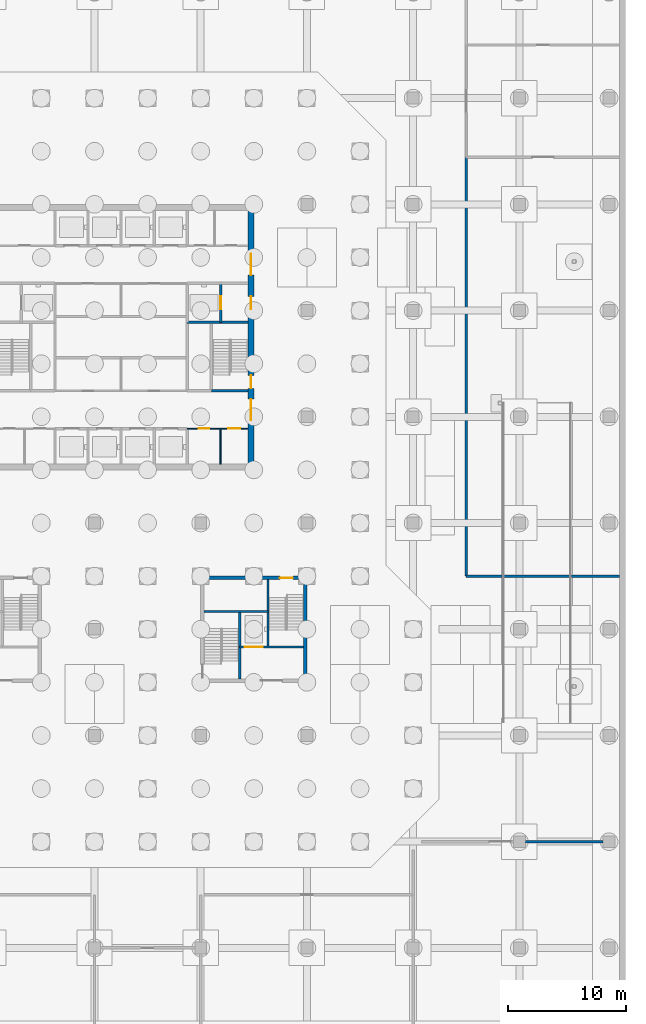
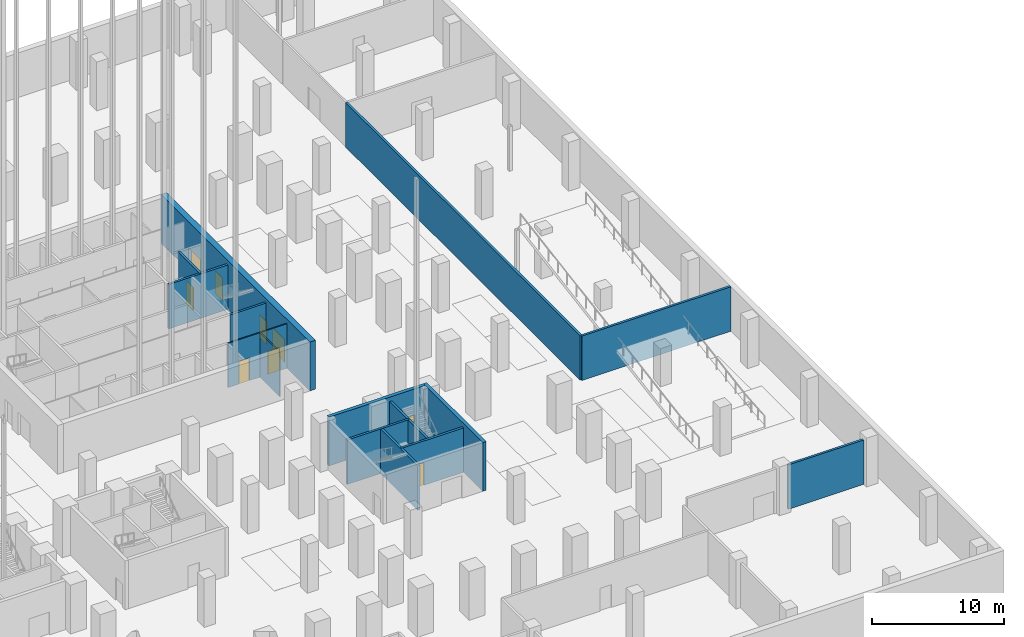
# One storey, part 16 of 37: 15 walls, 9 doors, 9 openings.
"""IFC4 building model written with IfcOpenShell, lengths in metres."""

from ifc_helpers import new_model, si_unit, direction, frame, frame_2d, origin, place, context, subcontext, project, spatial, rectangle, extrude, material, layer, layer_set, type_object, element, fill, save


model = new_model("IFC4")

# Units and contexts
model_context = context("Model", 3, precision=1e-05, world=origin(), true_north=direction((0.0, 1.0)))
body_context = subcontext(model_context, "Body", "Model", "MODEL_VIEW")
ifc_project = project(units=[si_unit("LENGTHUNIT", "METRE"), si_unit("AREAUNIT", "SQUARE_METRE"), si_unit("VOLUMEUNIT", "CUBIC_METRE"), si_unit("PLANEANGLEUNIT", "RADIAN"), si_unit("MASSUNIT", "GRAM", prefix="KILO")], contexts=[model_context])

# Site, building, storey
site_placement = place(None, origin())
site = spatial("IfcSite", under=ifc_project, at=site_placement, CompositionType="ELEMENT")
building_placement = place(site_placement, origin())
building = spatial("IfcBuilding", under=site, at=building_placement, Name="Quoin Convention Tower", CompositionType="ELEMENT")
storey_placement = place(building_placement, frame((0.0, 0.0, -9.0)))
storey = spatial("IfcBuildingStorey", under=building, at=storey_placement, Name="B2", CompositionType="ELEMENT", Elevation=-9.0)

# Walls
ifc_material_1 = material(Name="Plasterboard")
ifc_layer_1 = layer(ifc_material_1, 0.012451171875, Name="Finish")
ifc_material_2 = material(Name="Steel stud framing", Category="steel")
ifc_layer_2 = layer(ifc_material_2, 0.175048828125, Name="Structure")
ifc_layer_3 = layer(ifc_material_1, 0.012451171875, Name="Finish")
ifc_layer_set_1 = layer_set([ifc_layer_1, ifc_layer_2, ifc_layer_3], Name="Steel stud framing")
wall_type_1 = type_object("IfcWallType", Name="Block wall 200", PredefinedType="PARTITIONING", material=ifc_layer_set_1)
wall_1_placement = place(storey_placement, frame((85.5, 40.5, 0.0), z_axis=(0.0, 0.0, 1.0), x_axis=(1.0, 0.0, 0.0)))
element("IfcWall", 1, at=wall_1_placement, inside=storey, type_object=wall_type_1, Name="pw-B2-023", PredefinedType="PARTITIONING", context=body_context, shape_type="SweptSolid", body=[
    extrude(rectangle(XDim=13.0, YDim=0.199951171875, at=frame_2d((6.5, 0.0))), origin(), (0.0, 0.0, 1.0), 4.10009765625),
])
wall_2_placement = place(storey_placement, frame((85.5, 40.5, 0.0), z_axis=(0.0, 0.0, 1.0), x_axis=(0.0, 1.0, 0.0)))
element("IfcWall", 2, at=wall_2_placement, inside=storey, type_object=wall_type_1, Name="pw-B2-024", PredefinedType="PARTITIONING", context=body_context, shape_type="SweptSolid", body=[
    extrude(rectangle(XDim=35.5, YDim=0.199951171875, at=frame_2d((17.75, 0.0))), origin(), (0.0, 0.0, 1.0), 4.10009765625),
])

# Wall, openings, doors
ifc_layer_4 = layer(ifc_material_1, 0.012451171875, Name="Finish")
ifc_layer_5 = layer(ifc_material_2, 0.074951171875, Name="Structure")
ifc_layer_6 = layer(ifc_material_1, 0.012451171875, Name="Finish")
ifc_layer_set_2 = layer_set([ifc_layer_4, ifc_layer_5, ifc_layer_6], Name="Steel stud framing")
wall_type_2 = type_object("IfcWallType", Name="Core partition wall", PredefinedType="PARTITIONING", material=ifc_layer_set_2)
wall_3_placement = place(storey_placement, frame((61.85009765625, 53.0, 0.0), z_axis=(0.0, 0.0, 1.0), x_axis=(1.0, 0.0, 0.0)))
wall_3 = element("IfcWall", 3, at=wall_3_placement, inside=storey, type_object=wall_type_2, Name="cr-C1-B2-h3500_16850", PredefinedType="PARTITIONING", context=body_context, shape_type="SweptSolid", body=[
    extrude(rectangle(XDim=5.14990234375, YDim=0.10009765625, at=frame_2d((2.574951171875, 0.0))), origin(), (0.0, 0.0, 1.0), 4.10009765625),
])
opening_1_placement = place(wall_3_placement, frame((3.4912109375, 0.0, 0.0)))
opening_1 = element("IfcOpeningElement", 4, at=opening_1_placement, cuts=wall_3, Name="Opening DCV0-30", PredefinedType="OPENING", context=body_context, shape_type="SweptSolid", body=[
    extrude(rectangle(XDim=1.0, YDim=2.10009765625, at=frame_2d((0.5, 1.050048828125))), frame((0.0, 0.06005859375, 0.0), z_axis=(0.0, -1.0, 0.0), x_axis=(1.0, 0.0, 0.0)), (0.0, 0.0, 1.0), 0.1201171875),
])
opening_2_placement = place(wall_3_placement, frame((0.96630859375, 0.0, 0.0)))
opening_2 = element("IfcOpeningElement", 5, at=opening_2_placement, cuts=wall_3, Name="Opening DCV0-27", PredefinedType="OPENING", context=body_context, shape_type="SweptSolid", body=[
    extrude(rectangle(XDim=0.89990234375, YDim=2.10009765625, at=frame_2d((0.449951171875, 1.050048828125))), frame((0.0, 0.06005859375, 0.0), z_axis=(0.0, -1.0, 0.0), x_axis=(1.0, 0.0, 0.0)), (0.0, 0.0, 1.0), 0.1201171875),
])
ifc_material_3 = material(Name="Steel door leaf", Category="steel")
door_type_1 = type_object("IfcDoorType", Name="Core room door 1000 x 2100", OperationType="SINGLE_SWING_LEFT", PredefinedType="DOOR", material=ifc_material_3)
door_1_placement = place(opening_1_placement, frame((1.0, 0.0, 0.0), z_axis=(0.0, 0.0, 1.0), x_axis=(-1.0, 0.0, 0.0)))
door_1 = element("IfcDoor", 6, at=door_1_placement, inside=storey, type_object=door_type_1, Name="cd-C1-B2-CSE0-lobA-CDB210", OperationType="SINGLE_SWING_LEFT", OverallHeight=2.10009765625, OverallWidth=1.0, PredefinedType="DOOR", context=body_context, shape_type="SweptSolid", body=[
    extrude(rectangle(XDim=1.0, YDim=2.10009765625, at=frame_2d((0.5, 1.050048828125))), frame((0.0, 0.02490234375, 0.0), z_axis=(0.0, -1.0, 0.0), x_axis=(1.0, 0.0, 0.0)), (0.0, 0.0, 1.0), 0.050048828125),
])
fill(opening_1, door_1)
door_type_2 = type_object("IfcDoorType", Name="Core room door 900 x 2100", OperationType="SINGLE_SWING_LEFT", PredefinedType="DOOR", material=ifc_material_3)
door_2_placement = place(opening_2_placement, frame((0.89990234375, 0.0, 0.0), z_axis=(0.0, 0.0, 1.0), x_axis=(-1.0, 0.0, 0.0)))
door_2 = element("IfcDoor", 7, at=door_2_placement, inside=storey, type_object=door_type_2, Name="cd-C1-B2-CSE1-lobA-CDB211", OperationType="SINGLE_SWING_RIGHT", OverallHeight=2.10009765625, OverallWidth=0.89990234375, PredefinedType="DOOR", context=body_context, shape_type="SweptSolid", body=[
    extrude(rectangle(XDim=0.89990234375, YDim=2.10009765625, at=frame_2d((0.449951171875, 1.050048828125))), frame((0.0, 0.02490234375, 0.0), z_axis=(0.0, -1.0, 0.0), x_axis=(1.0, 0.0, 0.0)), (0.0, 0.0, 1.0), 0.050048828125),
])
fill(opening_2, door_2)

# Walls
wall_4_placement = place(storey_placement, frame((64.6826171875, 50.0, 0.0), z_axis=(0.0, 0.0, 1.0), x_axis=(0.0, 1.0, 0.0)))
element("IfcWall", 8, at=wall_4_placement, inside=storey, type_object=wall_type_2, Name="cr-C1-B2-v19682_500", PredefinedType="PARTITIONING", context=body_context, shape_type="SweptSolid", body=[
    extrude(rectangle(XDim=3.0, YDim=0.10009765625, at=frame_2d((1.5, 0.0))), origin(), (0.0, 0.0, 1.0), 4.10009765625),
])
ifc_material_4 = material(Name="Concrete C50", Category="concrete")
ifc_layer_7 = layer(ifc_material_4, 0.199951171875)
ifc_layer_set_3 = layer_set([ifc_layer_7], Name="Concrete C50")
wall_type_3 = type_object("IfcWallType", Name="Core shaft wall", PredefinedType="SOLIDWALL", material=ifc_layer_set_3)
wall_5_placement = place(storey_placement, frame((63.89990234375, 56.199951171875, 0.0), z_axis=(0.0, 0.0, 1.0), x_axis=(1.0, 0.0, 0.0)))
element("IfcWall", 9, at=wall_5_placement, inside=storey, type_object=wall_type_3, Name="cr-C1-B2-h6700_18900", PredefinedType="SOLIDWALL", context=body_context, shape_type="SweptSolid", body=[
    extrude(rectangle(XDim=3.10009765625, YDim=0.199951171875, at=frame_2d((1.550048828125, 0.0))), origin(), (0.0, 0.0, 1.0), 4.10009765625),
])
wall_6_placement = place(storey_placement, frame((61.85009765625, 62.0, 0.0), z_axis=(0.0, 0.0, 1.0), x_axis=(1.0, 0.0, 0.0)))
element("IfcWall", 10, at=wall_6_placement, inside=storey, type_object=wall_type_3, Name="cr-C1-B2-h12500_16850", PredefinedType="SOLIDWALL", context=body_context, shape_type="SweptSolid", body=[
    extrude(rectangle(XDim=5.14990234375, YDim=0.199951171875, at=frame_2d((2.574951171875, 0.0))), origin(), (0.0, 0.0, 1.0), 4.10009765625),
])

# Wall, opening, door
wall_7_placement = place(storey_placement, frame((64.699951171875, 62.0, 0.0), z_axis=(0.0, 0.0, 1.0), x_axis=(0.0, 1.0, 0.0)))
wall_7 = element("IfcWall", 11, at=wall_7_placement, inside=storey, type_object=wall_type_3, Name="cr-C1-B2-v19700_12500", PredefinedType="SOLIDWALL", context=body_context, shape_type="SweptSolid", body=[
    extrude(rectangle(XDim=3.300048828125, YDim=0.199951171875, at=frame_2d((1.64990234375, 0.0))), origin(), (0.0, 0.0, 1.0), 4.10009765625),
])
opening_3_placement = place(wall_7_placement, frame((1.10009765625, 0.0, 0.0)))
opening_3 = element("IfcOpeningElement", 12, at=opening_3_placement, cuts=wall_7, Name="Opening LDFL2", PredefinedType="OPENING", context=body_context, shape_type="SweptSolid", body=[
    extrude(rectangle(XDim=1.10009765625, YDim=2.10009765625, at=frame_2d((0.550048828125, 1.050048828125))), frame((0.0, 0.10986328125, 0.0), z_axis=(0.0, -1.0, 0.0), x_axis=(1.0, 0.0, 0.0)), (0.0, 0.0, 1.0), 0.219970703125),
])
door_type_3 = type_object("IfcDoorType", Name="Lift landing door 1100 x 2100", OperationType="DOUBLE_DOOR_SLIDING", PredefinedType="DOOR", material=ifc_material_3)
door_3_placement = place(opening_3_placement, origin())
door_3 = element("IfcDoor", 13, at=door_3_placement, inside=storey, type_object=door_type_3, Name="cd-C1-B2-FLE-FFE-LDFL2", OperationType="DOUBLE_DOOR_SLIDING", OverallHeight=2.10009765625, OverallWidth=1.10009765625, PredefinedType="DOOR", context=body_context, shape_type="SweptSolid", body=[
    extrude(rectangle(XDim=1.10009765625, YDim=2.10009765625, at=frame_2d((0.550048828125, 1.050048828125))), frame((0.0, 0.02490234375, 0.0), z_axis=(0.0, -1.0, 0.0), x_axis=(1.0, 0.0, 0.0)), (0.0, 0.0, 1.0), 0.050048828125),
])
fill(opening_3, door_3)

wall_8_placement = place(storey_placement, frame((66.300048828125, 34.5, 0.0), z_axis=(0.0, 0.0, 1.0), x_axis=(1.0, 0.0, 0.0)))
wall_8 = element("IfcWall", 14, at=wall_8_placement, inside=storey, type_object=wall_type_3, Name="cr-P5-B2-h3000_3300", PredefinedType="SOLIDWALL", context=body_context, shape_type="SweptSolid", body=[
    extrude(rectangle(XDim=5.39990234375, YDim=0.199951171875, at=frame_2d((2.699951171875, 0.0))), origin(), (0.0, 0.0, 1.0), 4.10009765625),
])
opening_4_placement = place(wall_8_placement, frame((0.449951171875, 0.0, 0.0)))
opening_4 = element("IfcOpeningElement", 15, at=opening_4_placement, cuts=wall_8, Name="Opening LDGL2", PredefinedType="OPENING", context=body_context, shape_type="SweptSolid", body=[
    extrude(rectangle(XDim=1.5, YDim=2.10009765625, at=frame_2d((0.75, 1.050048828125))), frame((0.0, 0.10986328125, 0.0), z_axis=(0.0, -1.0, 0.0), x_axis=(1.0, 0.0, 0.0)), (0.0, 0.0, 1.0), 0.219970703125),
])
door_type_4 = type_object("IfcDoorType", Name="Lift landing door 1500 x 2100", OperationType="DOUBLE_DOOR_SLIDING", PredefinedType="DOOR", material=ifc_material_3)
door_4_placement = place(opening_4_placement, origin())
door_4 = element("IfcDoor", 16, at=door_4_placement, inside=storey, type_object=door_type_4, Name="cd-P5-B2-CEN-R2-LDGL2", OperationType="DOUBLE_DOOR_SLIDING", OverallHeight=2.10009765625, OverallWidth=1.5, PredefinedType="DOOR", context=body_context, shape_type="SweptSolid", body=[
    extrude(rectangle(XDim=1.5, YDim=2.10009765625, at=frame_2d((0.75, 1.050048828125))), frame((0.0, 0.02490234375, 0.0), z_axis=(0.0, -1.0, 0.0), x_axis=(1.0, 0.0, 0.0)), (0.0, 0.0, 1.0), 0.050048828125),
])
fill(opening_4, door_4)

# Walls
wall_9_placement = place(storey_placement, frame((63.300048828125, 37.5, 0.0), z_axis=(0.0, 0.0, 1.0), x_axis=(1.0, 0.0, 0.0)))
element("IfcWall", 17, at=wall_9_placement, inside=storey, type_object=wall_type_3, Name="cr-P5-B2-h6000_300", PredefinedType="SOLIDWALL", context=body_context, shape_type="SweptSolid", body=[
    extrude(rectangle(XDim=5.39990234375, YDim=0.199951171875, at=frame_2d((2.699951171875, 0.0))), origin(), (0.0, 0.0, 1.0), 4.10009765625),
])
for number, where, z_axis, x_axis, name in (
    (18, (66.300048828125, 31.800048828125, 0.0), (0.0, 0.0, 1.0), (0.0, 1.0, 0.0), "cr-P5-B2-v3300_300"),
    (19, (68.699951171875, 34.5, 0.0), (0.0, 0.0, 1.0), (0.0, 1.0, 0.0), "cr-P5-B2-v5700_3000"),
):
    element("IfcWall", number, at=place(storey_placement, frame(where, z_axis=z_axis, x_axis=x_axis)), inside=storey, type_object=wall_type_3, Name=name, PredefinedType="SOLIDWALL", context=body_context, shape_type="SweptSolid", body=[
        extrude(rectangle(XDim=5.699951171875, YDim=0.199951171875, at=frame_2d((2.85009765625, 0.0))), origin(), (0.0, 0.0, 1.0), 4.10009765625),
    ])
ifc_layer_8 = layer(ifc_material_1, 0.012451171875, Name="Finish")
ifc_layer_9 = layer(ifc_material_2, 0.175048828125, Name="Structure")
ifc_layer_10 = layer(ifc_material_1, 0.012451171875, Name="Finish")
ifc_layer_set_4 = layer_set([ifc_layer_8, ifc_layer_9, ifc_layer_10], Name="Steel stud framing")
wall_type_4 = type_object("IfcWallType", Name="Plant room wall 200", PredefinedType="PARTITIONING", material=ifc_layer_set_4)
wall_10_placement = place(storey_placement, frame((90.5, 18.0, 0.0), z_axis=(0.0, 0.0, 1.0), x_axis=(1.0, 0.0, 0.0)))
element("IfcWall", 20, at=wall_10_placement, inside=storey, type_object=wall_type_4, Name="pw-B2-016", PredefinedType="PARTITIONING", context=body_context, shape_type="SweptSolid", body=[
    extrude(rectangle(XDim=6.60009765625, YDim=0.199951171875, at=frame_2d((3.300048828125, 0.0))), origin(), (0.0, 0.0, 1.0), 4.10009765625),
])

# Wall, opening, door
ifc_material_5 = material(Name="Concrete C100 (100 MPa)", Category="concrete")
ifc_layer_11 = layer(ifc_material_5, 0.300048828125)
ifc_layer_set_5 = layer_set([ifc_layer_11], Name="Concrete C100 (100 MPa)")
wall_type_5 = type_object("IfcWallType", Name="RC CORE WALL 300 C100", PredefinedType="SHEAR", material=ifc_layer_set_5)
wall_11_placement = place(storey_placement, frame((63.300048828125, 40.35009765625, 0.0), z_axis=(0.0, 0.0, 1.0), x_axis=(1.0, 0.0, 0.0)))
wall_11 = element("IfcWall", 21, at=wall_11_placement, inside=storey, type_object=wall_type_5, Name="cwl-P5-B2-N", PredefinedType="SHEAR", context=body_context, shape_type="SweptSolid", body=[
    extrude(rectangle(XDim=8.39990234375, YDim=0.300048828125, at=frame_2d((4.199951171875, 0.0))), origin(), (0.0, 0.0, 1.0), 4.5),
])
opening_5_placement = place(wall_11_placement, frame((6.39990234375, 0.0, 0.0)))
opening_5 = element("IfcOpeningElement", 22, at=opening_5_placement, cuts=wall_11, Name="Opening SD10", PredefinedType="OPENING", context=body_context, shape_type="SweptSolid", body=[
    extrude(rectangle(XDim=1.10009765625, YDim=2.10009765625, at=frame_2d((0.550048828125, 1.050048828125))), frame((0.0, 0.159912109375, 0.0), z_axis=(0.0, -1.0, 0.0), x_axis=(1.0, 0.0, 0.0)), (0.0, 0.0, 1.0), 0.320068359375),
])
door_type_5 = type_object("IfcDoorType", Name="Stair door 1100 x 2100", OperationType="SINGLE_SWING_RIGHT", PredefinedType="DOOR", material=ifc_material_3)
door_5_placement = place(opening_5_placement, frame((1.10009765625, 0.0, 0.0), z_axis=(0.0, 0.0, 1.0), x_axis=(-1.0, 0.0, 0.0)))
door_5 = element("IfcDoor", 23, at=door_5_placement, inside=storey, type_object=door_type_5, Name="cd-P5-B2-SB-N", OperationType="SINGLE_SWING_LEFT", OverallHeight=2.10009765625, OverallWidth=1.10009765625, PredefinedType="DOOR", context=body_context, shape_type="SweptSolid", body=[
    extrude(rectangle(XDim=1.10009765625, YDim=2.10009765625, at=frame_2d((0.550048828125, 1.050048828125))), frame((0.0, 0.02490234375, 0.0), z_axis=(0.0, -1.0, 0.0), x_axis=(1.0, 0.0, 0.0)), (0.0, 0.0, 1.0), 0.050048828125),
])
fill(opening_5, door_5)

# Wall
wall_12_placement = place(storey_placement, frame((71.85009765625, 31.5, 0.0), z_axis=(0.0, 0.0, 1.0), x_axis=(0.0, 1.0, 0.0)))
element("IfcWall", 24, at=wall_12_placement, inside=storey, type_object=wall_type_5, Name="cwl-P5-B2-E", PredefinedType="SHEAR", context=body_context, shape_type="SweptSolid", body=[
    extrude(rectangle(XDim=9.0, YDim=0.300048828125, at=frame_2d((4.5, 0.0))), origin(), (0.0, 0.0, 1.0), 4.5),
])

# Wall, openings, doors
ifc_layer_12 = layer(ifc_material_5, 0.5)
ifc_layer_set_6 = layer_set([ifc_layer_12], Name="Concrete C100 (100 MPa)")
wall_type_6 = type_object("IfcWallType", Name="RC CORE WALL 500 C100", PredefinedType="SHEAR", material=ifc_layer_set_6)
wall_13_placement = place(storey_placement, frame((67.25, 49.5, 0.0), z_axis=(0.0, 0.0, 1.0), x_axis=(0.0, 1.0, 0.0)))
wall_13 = element("IfcWall", 25, at=wall_13_placement, inside=storey, type_object=wall_type_6, Name="cwl-C1-B2-E", PredefinedType="SHEAR", context=body_context, shape_type="SweptSolid", body=[
    extrude(rectangle(XDim=22.5, YDim=0.5, at=frame_2d((11.25, 0.0))), origin(), (0.0, 0.0, 1.0), 4.5),
])
opening_6_placement = place(wall_13_placement, frame((4.199951171875, 0.0, 0.0)))
opening_6 = element("IfcOpeningElement", 26, at=opening_6_placement, cuts=wall_13, Name="Opening DCV0-57", PredefinedType="OPENING", context=body_context, shape_type="SweptSolid", body=[
    extrude(rectangle(XDim=1.800048828125, YDim=2.10009765625, at=frame_2d((0.89990234375, 1.050048828125))), frame((0.0, 0.260009765625, 0.0), z_axis=(0.0, -1.0, 0.0), x_axis=(1.0, 0.0, 0.0)), (0.0, 0.0, 1.0), 0.52001953125),
])
opening_7_placement = place(wall_13_placement, frame((6.89990234375, 0.0, 0.0)))
opening_7 = element("IfcOpeningElement", 27, at=opening_7_placement, cuts=wall_13, Name="Opening SD2", PredefinedType="OPENING", context=body_context, shape_type="SweptSolid", body=[
    extrude(rectangle(XDim=1.10009765625, YDim=2.10009765625, at=frame_2d((0.550048828125, 1.050048828125))), frame((0.0, 0.260009765625, 0.0), z_axis=(0.0, -1.0, 0.0), x_axis=(1.0, 0.0, 0.0)), (0.0, 0.0, 1.0), 0.52001953125),
])
opening_8_placement = place(wall_13_placement, frame((13.60009765625, 0.0, 0.0)))
opening_8 = element("IfcOpeningElement", 28, at=opening_8_placement, cuts=wall_13, Name="Opening DCV0-56", PredefinedType="OPENING", context=body_context, shape_type="SweptSolid", body=[
    extrude(rectangle(XDim=1.10009765625, YDim=2.10009765625, at=frame_2d((0.550048828125, 1.050048828125))), frame((0.0, 0.260009765625, 0.0), z_axis=(0.0, -1.0, 0.0), x_axis=(1.0, 0.0, 0.0)), (0.0, 0.0, 1.0), 0.52001953125),
])
opening_9_placement = place(wall_13_placement, frame((16.5, 0.0, 0.0)))
opening_9 = element("IfcOpeningElement", 29, at=opening_9_placement, cuts=wall_13, Name="Opening DCV0-57", PredefinedType="OPENING", context=body_context, shape_type="SweptSolid", body=[
    extrude(rectangle(XDim=1.800048828125, YDim=2.10009765625, at=frame_2d((0.89990234375, 1.050048828125))), frame((0.0, 0.260009765625, 0.0), z_axis=(0.0, -1.0, 0.0), x_axis=(1.0, 0.0, 0.0)), (0.0, 0.0, 1.0), 0.52001953125),
])
door_type_6 = type_object("IfcDoorType", Name="Fire-fighting lobby door 1100 x 2100", OperationType="SINGLE_SWING_LEFT", PredefinedType="DOOR", material=ifc_material_3)
door_6_placement = place(opening_8_placement, frame((1.10009765625, 0.0, 0.0), z_axis=(0.0, 0.0, 1.0), x_axis=(-1.0, 0.0, 0.0)))
door_6 = element("IfcDoor", 30, at=door_6_placement, inside=storey, type_object=door_type_6, Name="cd-C1-B2-FFE-E", OperationType="SINGLE_SWING_LEFT", OverallHeight=2.10009765625, OverallWidth=1.10009765625, PredefinedType="DOOR", context=body_context, shape_type="SweptSolid", body=[
    extrude(rectangle(XDim=1.10009765625, YDim=2.10009765625, at=frame_2d((0.550048828125, 1.050048828125))), frame((0.0, 0.02490234375, 0.0), z_axis=(0.0, -1.0, 0.0), x_axis=(1.0, 0.0, 0.0)), (0.0, 0.0, 1.0), 0.050048828125),
])
fill(opening_8, door_6)
door_type_7 = type_object("IfcDoorType", Name="Lift lobby door 1800 x 2100", OperationType="SINGLE_SWING_LEFT", PredefinedType="DOOR", material=ifc_material_3)
door_7_placement = place(opening_6_placement, frame((1.800048828125, 0.0, 0.0), z_axis=(0.0, 0.0, 1.0), x_axis=(-1.0, 0.0, 0.0)))
door_7 = element("IfcDoor", 31, at=door_7_placement, inside=storey, type_object=door_type_7, Name="cd-C1-B2-lobA-E", OperationType="SINGLE_SWING_RIGHT", OverallHeight=2.10009765625, OverallWidth=1.800048828125, PredefinedType="DOOR", context=body_context, shape_type="SweptSolid", body=[
    extrude(rectangle(XDim=1.800048828125, YDim=2.10009765625, at=frame_2d((0.89990234375, 1.050048828125))), frame((0.0, 0.02490234375, 0.0), z_axis=(0.0, -1.0, 0.0), x_axis=(1.0, 0.0, 0.0)), (0.0, 0.0, 1.0), 0.050048828125),
])
fill(opening_6, door_7)
door_8_placement = place(opening_9_placement, frame((1.800048828125, 0.0, 0.0), z_axis=(0.0, 0.0, 1.0), x_axis=(-1.0, 0.0, 0.0)))
door_8 = element("IfcDoor", 32, at=door_8_placement, inside=storey, type_object=door_type_7, Name="cd-C1-B2-lobB-E", OperationType="SINGLE_SWING_LEFT", OverallHeight=2.10009765625, OverallWidth=1.800048828125, PredefinedType="DOOR", context=body_context, shape_type="SweptSolid", body=[
    extrude(rectangle(XDim=1.800048828125, YDim=2.10009765625, at=frame_2d((0.89990234375, 1.050048828125))), frame((0.0, 0.02490234375, 0.0), z_axis=(0.0, -1.0, 0.0), x_axis=(1.0, 0.0, 0.0)), (0.0, 0.0, 1.0), 0.050048828125),
])
fill(opening_9, door_8)
door_9_placement = place(opening_7_placement, origin())
door_9 = element("IfcDoor", 33, at=door_9_placement, inside=storey, type_object=door_type_5, Name="cd-C1-B2-STE-E", OperationType="SINGLE_SWING_LEFT", OverallHeight=2.10009765625, OverallWidth=1.10009765625, PredefinedType="DOOR", context=body_context, shape_type="SweptSolid", body=[
    extrude(rectangle(XDim=1.10009765625, YDim=2.10009765625, at=frame_2d((0.550048828125, 1.050048828125))), frame((0.0, 0.02490234375, 0.0), z_axis=(0.0, -1.0, 0.0), x_axis=(1.0, 0.0, 0.0)), (0.0, 0.0, 1.0), 0.050048828125),
])
fill(opening_7, door_9)

save(model, "model.ifc")
